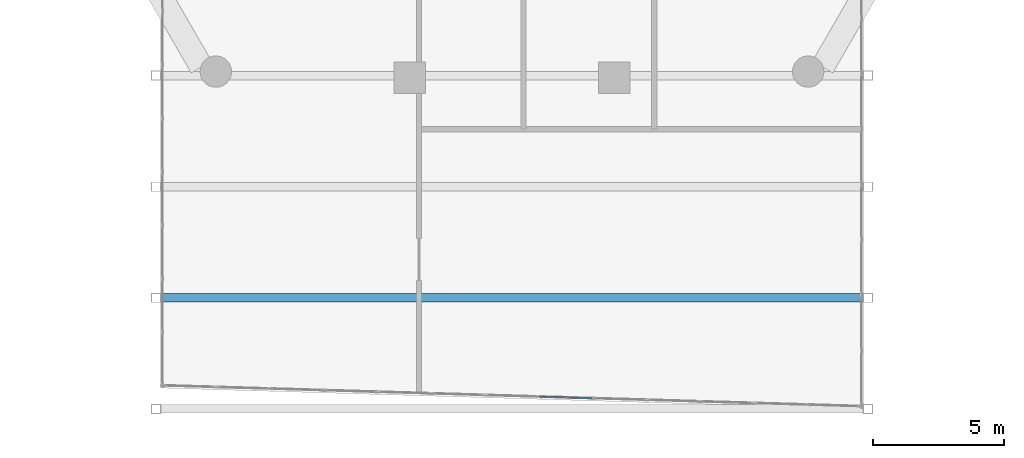
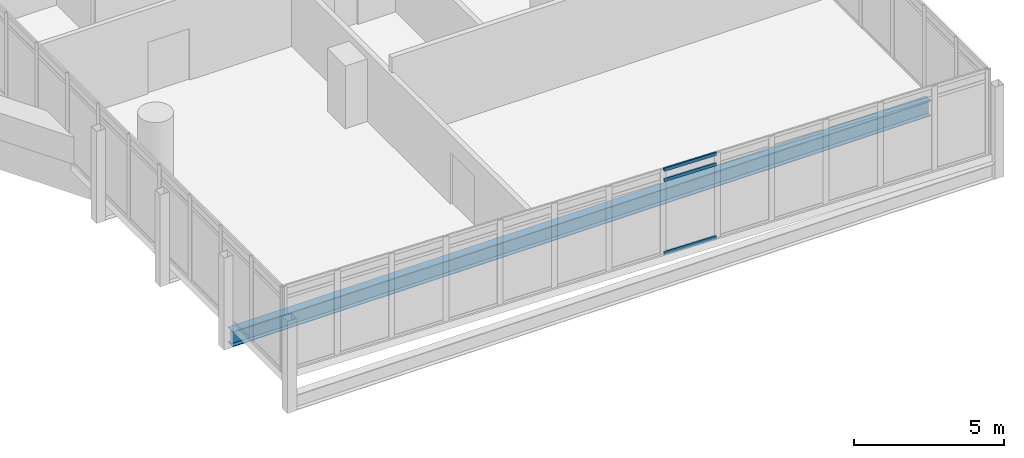
# One storey, part 6 of 38: 3 members, 1 beam, 1 element without a shape of its own.
"""IFC4 building model written with IfcOpenShell, lengths in metres."""

from ifc_helpers import new_model, si_unit, direction, frame, origin, origin_2d, place, context, subcontext, project, spatial, hollow_rectangle, i_section, extrude, material, material_profile, profile_set, type_object, element, aggregate, save


model = new_model("IFC4")

# Units and contexts
model_context = context("Model", 3, precision=1e-05, world=origin(), true_north=direction((0.0, 1.0)))
body_context = subcontext(model_context, "Body", "Model", "MODEL_VIEW")
ifc_project = project(units=[si_unit("LENGTHUNIT", "METRE"), si_unit("AREAUNIT", "SQUARE_METRE"), si_unit("VOLUMEUNIT", "CUBIC_METRE"), si_unit("PLANEANGLEUNIT", "RADIAN"), si_unit("MASSUNIT", "GRAM", prefix="KILO")], contexts=[model_context])

# Site, building, storey
site_placement = place(None, origin())
site = spatial("IfcSite", under=ifc_project, at=site_placement, CompositionType="ELEMENT")
building_placement = place(site_placement, origin())
building = spatial("IfcBuilding", under=site, at=building_placement, Name="Ostrander Bayou Hotel Tower", CompositionType="ELEMENT")
storey_placement = place(building_placement, frame((0.0, 0.0, 96.75)))
storey = spatial("IfcBuildingStorey", under=building, at=storey_placement, Name="L24", CompositionType="ELEMENT", Elevation=96.75)

# Curtain wall, members
ifc_material_1 = material(Name="Aluminium and clear glass", Category="aluminium")
curtain_wall_type = type_object("IfcCurtainWallType", Name="CW-BAR glazed wall", PredefinedType="NOTDEFINED", material=ifc_material_1)
curtain_wall_placement = place(storey_placement, origin())
curtain_wall = element("IfcCurtainWall", 1, at=curtain_wall_placement, inside=storey, type_object=curtain_wall_type, Name="CW-BAR L24:SB2S:T", PredefinedType="NOTDEFINED")
ifc_material_2 = material(Name="Aluminium", Category="aluminium")
ifc_material_profile_1 = material_profile(ifc_material_2, hollow_rectangle(XDim=0.06005859375, YDim=0.1298828125, WallThickness=0.00390625, at=origin_2d()))
ifc_profile_set_1 = profile_set([ifc_material_profile_1], Name="Aluminium")
member_type = type_object("IfcMemberType", Name="CW-BR transom 60 x 130 mm", PredefinedType="USERDEFINED", material=ifc_profile_set_1)
member_1_placement = place(storey_placement, frame((1.058349609375, -31.7314453125, 0.030029296875), z_axis=(0.999555090424, -0.029826518535, 0.0), x_axis=(0.029826518535, 0.999555090424, 0.0)))
member_1 = element("IfcMember", 2, at=member_1_placement, type_object=member_type, Name="CW-BAR transom 8.1", ObjectType="TRANSOM", PredefinedType="USERDEFINED", context=body_context, shape_type="SweptSolid", body=[
    extrude(hollow_rectangle(XDim=0.06005859375, YDim=0.1298828125, WallThickness=0.00390625, at=origin_2d()), origin(), (0.0, 0.0, 1.0), 1.997314453125),
])
member_2_placement = place(storey_placement, frame((1.058349609375, -31.7314453125, 3.0), z_axis=(0.999555090424, -0.029826518535, 0.0), x_axis=(0.029826518535, 0.999555090424, 0.0)))
member_2 = element("IfcMember", 3, at=member_2_placement, type_object=member_type, Name="CW-BAR transom 8.2", ObjectType="TRANSOM", PredefinedType="USERDEFINED", context=body_context, shape_type="SweptSolid", body=[
    extrude(hollow_rectangle(XDim=0.06005859375, YDim=0.1298828125, WallThickness=0.00390625, at=origin_2d()), origin(), (0.0, 0.0, 1.0), 1.997314453125),
])
member_3_placement = place(storey_placement, frame((1.058349609375, -31.7314453125, 3.419921875), z_axis=(0.999555090424, -0.029826518535, 0.0), x_axis=(0.029826518535, 0.999555090424, 0.0)))
member_3 = element("IfcMember", 4, at=member_3_placement, type_object=member_type, Name="CW-BAR transom 8.3", ObjectType="TRANSOM", PredefinedType="USERDEFINED", context=body_context, shape_type="SweptSolid", body=[
    extrude(hollow_rectangle(XDim=0.06005859375, YDim=0.1298828125, WallThickness=0.00390625, at=origin_2d()), origin(), (0.0, 0.0, 1.0), 1.997314453125),
])
aggregate(curtain_wall, [member_1, member_2, member_3])

# Beam
ifc_material_3 = material(Name="Steel ASTM A992", Category="steel")
ifc_material_profile_2 = material_profile(ifc_material_3, i_section(OverallWidth=0.32763671875, OverallDepth=0.621826171875, WebThickness=0.015380859375, FlangeThickness=0.0244140625, at=origin_2d()))
ifc_profile_set_2 = profile_set([ifc_material_profile_2], Name="Steel ASTM A992")
beam_type = type_object("IfcBeamType", Name="TF1 bar floor beam W24x131", PredefinedType="BEAM", material=ifc_profile_set_2)
beam_placement = place(storey_placement, frame((-13.442138671875, -27.9501953125, -0.61083984375), z_axis=(1.0, 0.0, 0.0), x_axis=(0.0, 1.0, 0.0)))
element("IfcBeam", 5, at=beam_placement, inside=storey, type_object=beam_type, Name="TF1 SB2S L2-3", PredefinedType="BEAM", context=body_context, shape_type="SweptSolid", body=[
    extrude(i_section(OverallWidth=0.32763671875, OverallDepth=0.621826171875, WebThickness=0.015380859375, FlangeThickness=0.0244140625, at=origin_2d()), origin(), (0.0, 0.0, 1.0), 26.88427734375),
])

save(model, "model.ifc")
